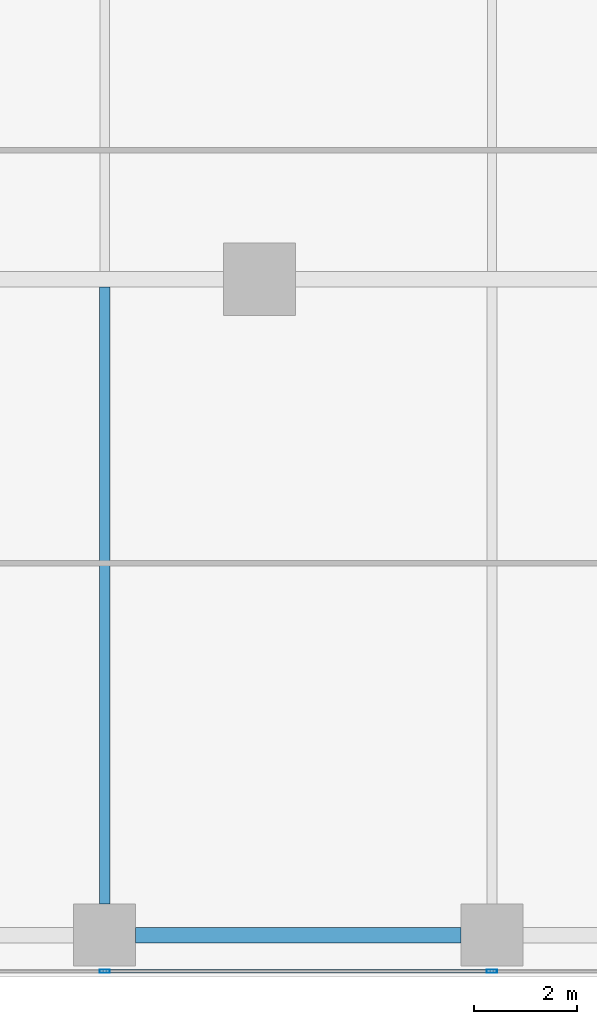
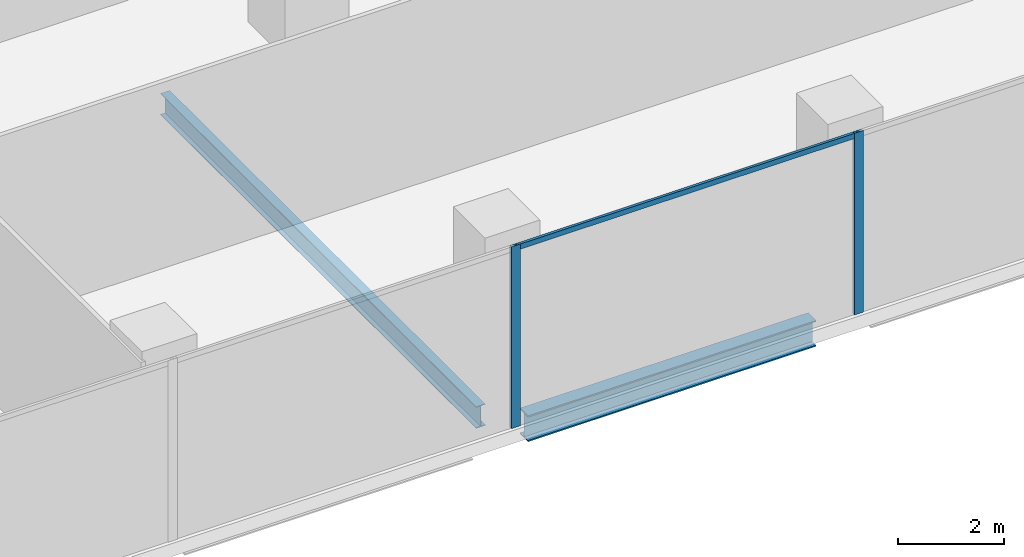
# One storey, part 7 of 33: 3 members, 2 beams, 1 element without a shape of its own.
"""IFC4 building model written with IfcOpenShell, lengths in metres."""

import ifcopenshell
import ifcopenshell.guid

model = None  # the IFC model being written
_history = None  # IfcOwnerHistory: only IFC2X3 demands one
_inside = {}  # id of a spatial element -> (the spatial element, [elements in it])
_under = {}  # id of a project, library or spatial element -> (it, [spatial elements below it])
_declared = {}  # id of a project -> (the project, [libraries it declares])
_typed = {}  # id of a type object -> (the type object, [elements of that type])
_made_of = {}  # id of a material, layer set ... -> (it, [elements and type objects made of it])


def new_model(schema):
    """Start an empty IFC model of exactly this schema.

    Asked for "IFC4X3", IfcOpenShell would pick the latest addendum, in which some entities
    have other attributes; the version numbers below select the first issue.
    IFC2X3 requires an IfcOwnerHistory on every rooted entity: one is made here for all.
    """
    global model, _history
    if schema == "IFC4X3":
        model = ifcopenshell.file(schema_version=(4, 3, 0, 0))
    else:
        model = ifcopenshell.file(schema=schema)
    _inside.clear()
    _under.clear()
    _declared.clear()
    _typed.clear()
    _made_of.clear()
    _history = None
    if model.schema == "IFC2X3":
        org = make("IfcOrganization", Name="unknown")
        user = make(
            "IfcPersonAndOrganization",
            ThePerson=make("IfcPerson", FamilyName="unknown"),
            TheOrganization=org,
        )
        app = make(
            "IfcApplication",
            ApplicationDeveloper=org,
            Version="unknown",
            ApplicationFullName="unknown",
            ApplicationIdentifier="unknown",
        )
        _history = make(
            "IfcOwnerHistory",
            OwningUser=user,
            OwningApplication=app,
            ChangeAction="ADDED",
            CreationDate=0,
        )
    return model


def make(cls, **values):
    """One entity of the class cls with the attributes given. An attribute that is None is left unset."""
    return model.create_entity(
        cls, **{name: value for name, value in values.items() if value is not None}
    )


def rooted(cls, **values):
    """An entity with a GlobalId (a new one), such as an element, a storey or a relation."""
    return make(cls, GlobalId=ifcopenshell.guid.new(), OwnerHistory=_history, **values)


def si_unit(unit_type, name, prefix=None):
    """IfcSIUnit, for example si_unit("LENGTHUNIT", "METRE", prefix="MILLI")."""
    return make("IfcSIUnit", UnitType=unit_type, Prefix=prefix, Name=name)


def assignment(units):
    """IfcUnitAssignment: the units of a project."""
    return None if units is None else make("IfcUnitAssignment", Units=units)


def point(xyz):
    """IfcCartesianPoint."""
    return None if xyz is None else make("IfcCartesianPoint", Coordinates=xyz)


def direction(xyz):
    """IfcDirection."""
    return None if xyz is None else make("IfcDirection", DirectionRatios=xyz)


def frame(location, z_axis=None, x_axis=None):
    """IfcAxis2Placement3D, a coordinate frame: its origin and axes. An axis left out is left unset."""
    return make(
        "IfcAxis2Placement3D",
        Location=point(location),
        Axis=direction(z_axis),
        RefDirection=direction(x_axis),
    )


def frame_2d(location, x_axis=None):
    """IfcAxis2Placement2D, a coordinate frame in the plane: its origin and x axis."""
    return make(
        "IfcAxis2Placement2D", Location=point(location), RefDirection=direction(x_axis)
    )


def origin():
    """The frame at (0, 0, 0) with its axes left unset."""
    return frame((0.0, 0.0, 0.0))


def origin_2d():
    """The frame at (0, 0) in the plane with its x axis left unset."""
    return frame_2d((0.0, 0.0))


def place(relative_to, where):
    """IfcLocalPlacement: puts the frame where relative to a parent placement (None: the world)."""
    return make(
        "IfcLocalPlacement", PlacementRelTo=relative_to, RelativePlacement=where
    )


def context(
    kind, dimensions, precision=None, world=None, true_north=None, identifier=None
):
    """IfcGeometricRepresentationContext, for example the 3D "Model" context."""
    return make(
        "IfcGeometricRepresentationContext",
        ContextIdentifier=identifier,
        ContextType=kind,
        CoordinateSpaceDimension=dimensions,
        Precision=precision,
        WorldCoordinateSystem=world,
        TrueNorth=true_north,
    )


def subcontext(parent, identifier, kind, view, scale=None):
    """IfcGeometricRepresentationSubContext, for example "Body" below "Model"."""
    return make(
        "IfcGeometricRepresentationSubContext",
        ContextIdentifier=identifier,
        ContextType=kind,
        ParentContext=parent,
        TargetScale=scale,
        TargetView=view,
    )


def project(units=None, contexts=None):
    """IfcProject with its units and contexts."""
    return rooted(
        "IfcProject",
        Name="project",
        RepresentationContexts=contexts,
        UnitsInContext=assignment(units),
    )


def spatial(cls, under=None, at=None, **own):
    """A site, building, storey or space (cls), placed at a placement, below another one or the project."""
    s = rooted(cls, ObjectPlacement=at, **own)
    if under is not None:
        _under.setdefault(under.id(), (under, []))[1].append(s)
    return s


def profile(cls, at=None, kind="AREA", **sizes):
    """A parametric profile (cls). Its sizes go by their IFC names, for example OverallWidth=200.0."""
    return make(cls, ProfileType=kind, Position=at, **sizes)


def hollow_rectangle(**sizes):
    """IfcRectangleHollowProfileDef."""
    return profile("IfcRectangleHollowProfileDef", **sizes)


def i_section(**sizes):
    """IfcIShapeProfileDef."""
    return profile("IfcIShapeProfileDef", **sizes)


def extrude(swept, where, along, depth):
    """IfcExtrudedAreaSolid: the profile swept, set in the frame where, extruded along a direction by depth."""
    return make(
        "IfcExtrudedAreaSolid",
        SweptArea=swept,
        Position=where,
        ExtrudedDirection=direction(along),
        Depth=depth,
    )


def shape(context_of_items, identifier, shape_type, items):
    """IfcShapeRepresentation: the items that make up one representation, for example the "Body"."""
    return make(
        "IfcShapeRepresentation",
        ContextOfItems=context_of_items,
        RepresentationIdentifier=identifier,
        RepresentationType=shape_type,
        Items=items,
    )


def source(mapping_origin, context_of_items, identifier, shape_type, items):
    """IfcRepresentationMap: a shape defined once, which mapped items show again and again."""
    return make(
        "IfcRepresentationMap",
        MappingOrigin=mapping_origin,
        MappedRepresentation=shape(context_of_items, identifier, shape_type, items),
    )


def transform(
    local_origin,
    x_axis=None,
    y_axis=None,
    z_axis=None,
    scale=None,
    scale2=None,
    scale3=None,
    uniform=True,
):
    """IfcCartesianTransformationOperator3D, or its non-uniform kind. x_axis, y_axis, z_axis: its Axis1, 2, 3."""
    if uniform:
        return make(
            "IfcCartesianTransformationOperator3D",
            Axis1=direction(x_axis),
            Axis2=direction(y_axis),
            LocalOrigin=point(local_origin),
            Scale=scale,
            Axis3=direction(z_axis),
        )
    return make(
        "IfcCartesianTransformationOperator3DnonUniform",
        Axis1=direction(x_axis),
        Axis2=direction(y_axis),
        LocalOrigin=point(local_origin),
        Scale=scale,
        Axis3=direction(z_axis),
        Scale2=scale2,
        Scale3=scale3,
    )


def mapped(mapping_source, mapping_target):
    """IfcMappedItem: shows the shape of a source again, moved by a transform."""
    return make(
        "IfcMappedItem", MappingSource=mapping_source, MappingTarget=mapping_target
    )


def material(Name=None, Category=None):
    """IfcMaterial."""
    return make("IfcMaterial", Name=Name, Category=Category)


def material_profile(
    of_material, cross_section, Name=None, Category=None, Priority=None
):
    """IfcMaterialProfile: a cross section and its material."""
    return make(
        "IfcMaterialProfile",
        Name=Name,
        Material=of_material,
        Profile=cross_section,
        Priority=Priority,
        Category=Category,
    )


def profile_set(profiles, Name=None, composite=None):
    """IfcMaterialProfileSet."""
    return make(
        "IfcMaterialProfileSet",
        Name=Name,
        MaterialProfiles=profiles,
        CompositeProfile=composite,
    )


def made_of(thing, what):
    """Note that an element or type object is made of a material, layer set ...; save() writes the relation."""
    if what is not None:
        _made_of.setdefault(what.id(), (what, []))[1].append(thing)
    return thing


def type_object(cls, material=None, **own):
    """A type object (cls), such as IfcWallType, which elements share."""
    return made_of(rooted(cls, **own), material)


def element(
    cls,
    number,
    at=None,
    inside=None,
    cuts=None,
    type_object=None,
    material=None,
    context=None,
    identifier="Body",
    shape_type=None,
    held_by="IfcProductDefinitionShape",
    body=None,
    shapes=None,
    **own,
):
    """One element of the class cls, such as IfcWall. Its Tag is "e" and its number.

    at: its placement. inside: the storey or other place that contains it. cuts: it is an
    opening in that element (IfcRelVoidsElement). A single representation is given by context,
    identifier, shape_type and body (its items); several are given by shapes. held_by: the class
    of the entity that holds the representations. save() writes the other relations.
    """
    e = rooted(cls, Tag="e%d" % number, ObjectPlacement=at, **own)
    if body is not None:
        shapes = [shape(context, identifier, shape_type, body)]
    if shapes is not None:
        e.Representation = make(held_by, Representations=shapes)
    if inside is not None:
        _inside.setdefault(inside.id(), (inside, []))[1].append(e)
    if cuts is not None:
        rooted(
            "IfcRelVoidsElement", RelatingBuildingElement=cuts, RelatedOpeningElement=e
        )
    if type_object is not None:
        _typed.setdefault(type_object.id(), (type_object, []))[1].append(e)
    return made_of(e, material)


def aggregate(whole, parts):
    """IfcRelAggregates: a whole, such as a stair, and the parts it consists of."""
    return rooted("IfcRelAggregates", RelatingObject=whole, RelatedObjects=parts)


def save(model, path):
    """Write the relations noted so far, then the file.

    IfcRelAggregates (storeys below a building ...), IfcRelContainedInSpatialStructure (elements
    in a storey), IfcRelDefinesByType, IfcRelAssociatesMaterial and IfcRelDeclares: one each for
    every whole, place, type object, material and project.
    """
    for whole, parts in _under.values():
        aggregate(whole, parts)
    for where, things in _inside.values():
        rooted(
            "IfcRelContainedInSpatialStructure",
            RelatedElements=things,
            RelatingStructure=where,
        )
    for kind, things in _typed.values():
        rooted("IfcRelDefinesByType", RelatedObjects=things, RelatingType=kind)
    for what, things in _made_of.values():
        rooted("IfcRelAssociatesMaterial", RelatedObjects=things, RelatingMaterial=what)
    for by, libraries in _declared.values():
        rooted("IfcRelDeclares", RelatingContext=by, RelatedDefinitions=libraries)
    model.write(path)


model = new_model("IFC4")

# Units and contexts
model_context = context("Model", 3, precision=1e-05, world=origin(), true_north=direction((0.0, 1.0)))
body_context = subcontext(model_context, "Body", "Model", "MODEL_VIEW")
ifc_project = project(units=[si_unit("LENGTHUNIT", "METRE"), si_unit("AREAUNIT", "SQUARE_METRE"), si_unit("VOLUMEUNIT", "CUBIC_METRE"), si_unit("PLANEANGLEUNIT", "RADIAN"), si_unit("MASSUNIT", "GRAM", prefix="KILO")], contexts=[model_context])

# Site, building, storey
site_placement = place(None, origin())
site = spatial("IfcSite", under=ifc_project, at=site_placement, CompositionType="ELEMENT")
building_placement = place(site_placement, origin())
building = spatial("IfcBuilding", under=site, at=building_placement, Name="Khomas Fold Tower", CompositionType="ELEMENT")
storey_placement = place(building_placement, frame((0.0, 0.0, 91.5)))
storey = spatial("IfcBuildingStorey", under=building, at=storey_placement, Name="L19", CompositionType="ELEMENT", Elevation=91.5)

# Beams
ifc_material_1 = material(Name="Steel S355", Category="steel")
ifc_material_profile_1 = material_profile(ifc_material_1, i_section(OverallWidth=0.300048828125, OverallDepth=0.60009765625, WebThickness=0.015380859375, FlangeThickness=0.030029296875, at=origin_2d()), Name="HE 600 B")
ifc_profile_set_1 = profile_set([ifc_material_profile_1], Name="Steel S355")
beam_type_1 = type_object("IfcBeamType", Name="HE 600 B spandrel SB1", PredefinedType="SPANDREL", material=ifc_profile_set_1)
shared_shape_1 = source(origin(), body_context, "Body", "SweptSolid", [
    extrude(i_section(OverallWidth=0.300048828125, OverallDepth=0.60009765625, WebThickness=0.015380859375, FlangeThickness=0.030029296875, at=origin_2d()), origin(), (0.0, 0.0, 1.0), 6.2998046875),
])
beam_1_placement = place(storey_placement, frame((35.10009765625, 0.800048828125, -0.60009765625), z_axis=(1.0, 0.0, 0.0), x_axis=(0.0, 1.0, 0.0)))
element("IfcBeam", 1, at=beam_1_placement, inside=storey, type_object=beam_type_1, Name="SB1", PredefinedType="SPANDREL", context=body_context, shape_type="MappedRepresentation", body=[
    mapped(shared_shape_1, transform((0.0, 0.0, 0.0))),
])
ifc_material_2 = material(Name="Steel S355", Category="steel")
ifc_material_profile_2 = material_profile(ifc_material_2, i_section(OverallWidth=0.199951171875, OverallDepth=0.5, WebThickness=0.01025390625, FlangeThickness=0.01611328125, at=origin_2d()), Name="IPE 500")
ifc_profile_set_2 = profile_set([ifc_material_profile_2], Name="Steel S355")
beam_type_2 = type_object("IfcBeamType", Name="IPE 500 beam JB5", PredefinedType="BEAM", material=ifc_profile_set_2)
shared_shape_2 = source(origin(), body_context, "Body", "SweptSolid", [
    extrude(i_section(OverallWidth=0.199951171875, OverallDepth=0.5, WebThickness=0.01025390625, FlangeThickness=0.01611328125, at=origin_2d()), origin(), (0.0, 0.0, 1.0), 11.9501953125),
])
beam_2_placement = place(storey_placement, frame((34.5, 1.39990234375, -0.550048828125), z_axis=(0.0, 1.0, 0.0), x_axis=(-1.0, 0.0, 0.0)))
element("IfcBeam", 2, at=beam_2_placement, inside=storey, type_object=beam_type_2, Name="JB5", PredefinedType="BEAM", context=body_context, shape_type="MappedRepresentation", body=[
    mapped(shared_shape_2, transform((0.0, 0.0, 0.0))),
])

# Curtain wall, members
ifc_material_3 = material(Name="Aluminium framed double glazing", Category="aluminium")
curtain_wall_type = type_object("IfcCurtainWallType", Name="SK-Unitised clear-glass wall, growing floors CW1", PredefinedType="NOTDEFINED", material=ifc_material_3)
curtain_wall_placement = place(storey_placement, origin())
curtain_wall = element("IfcCurtainWall", 3, at=curtain_wall_placement, inside=storey, type_object=curtain_wall_type, Name="CW1 run L19 00-0", PredefinedType="NOTDEFINED")
ifc_material_4 = material(Name="Aluminium", Category="aluminium")
ifc_material_profile_3 = material_profile(ifc_material_4, hollow_rectangle(XDim=0.06005859375, YDim=0.1201171875, WallThickness=0.00390625, at=origin_2d()), Name="SK-Unitised clear-glass wall, growing floors transom CW1-T")
ifc_profile_set_3 = profile_set([ifc_material_profile_3], Name="Aluminium")
member_type_1 = type_object("IfcMemberType", Name="SK-Unitised clear-glass wall, growing floors transom CW1-T", PredefinedType="USERDEFINED", material=ifc_profile_set_3)
shared_shape_3 = source(origin(), body_context, "Body", "SweptSolid", [
    extrude(hollow_rectangle(XDim=0.06005859375, YDim=0.1201171875, WallThickness=0.00390625, at=origin_2d()), origin(), (0.0, 0.0, 1.0), 7.43994140625),
])
member_1_placement = place(storey_placement, frame((34.530029296875, 0.10009765625, 4.139892578125), z_axis=(1.0, 0.0, 0.0), x_axis=(0.0, 1.0, 0.0)))
member_1 = element("IfcMember", 4, at=member_1_placement, type_object=member_type_1, Name="CW1 transom 6", ObjectType="TRANSOM", PredefinedType="USERDEFINED", context=body_context, shape_type="MappedRepresentation", body=[
    mapped(shared_shape_3, transform((0.0, 0.0, 0.0))),
])
ifc_material_5 = material(Name="Aluminium", Category="aluminium")
ifc_material_profile_4 = material_profile(ifc_material_5, hollow_rectangle(XDim=0.06005859375, YDim=0.199951171875, WallThickness=0.00390625, at=origin_2d()), Name="SK-Unitised clear-glass wall, growing floors mullion CW1-M")
ifc_profile_set_4 = profile_set([ifc_material_profile_4], Name="Aluminium")
member_type_2 = type_object("IfcMemberType", Name="SK-Unitised clear-glass wall, growing floors mullion CW1-M", PredefinedType="MULLION", material=ifc_profile_set_4)
shared_shape_4 = source(origin(), body_context, "Body", "SweptSolid", [
    extrude(hollow_rectangle(XDim=0.06005859375, YDim=0.199951171875, WallThickness=0.00390625, at=origin_2d()), origin(), (0.0, 0.0, 1.0), 4.199951171875),
])
member_2_placement = place(storey_placement, frame((34.5, 0.10009765625, 0.0), z_axis=(0.0, 0.0, 1.0), x_axis=(0.0, 1.0, 0.0)))
member_2 = element("IfcMember", 5, at=member_2_placement, type_object=member_type_2, Name="CW1 mullion 6", PredefinedType="MULLION", context=body_context, shape_type="MappedRepresentation", body=[
    mapped(shared_shape_4, transform((0.0, 0.0, 0.0))),
])
member_3_placement = place(storey_placement, frame((42.0, 0.10009765625, 0.0), z_axis=(0.0, 0.0, 1.0), x_axis=(0.0, 1.0, 0.0)))
member_3 = element("IfcMember", 6, at=member_3_placement, type_object=member_type_2, Name="CW1 mullion 7", PredefinedType="MULLION", context=body_context, shape_type="MappedRepresentation", body=[
    mapped(shared_shape_4, transform((0.0, 0.0, 0.0))),
])
aggregate(curtain_wall, [member_2, member_3, member_1])

save(model, "model.ifc")
